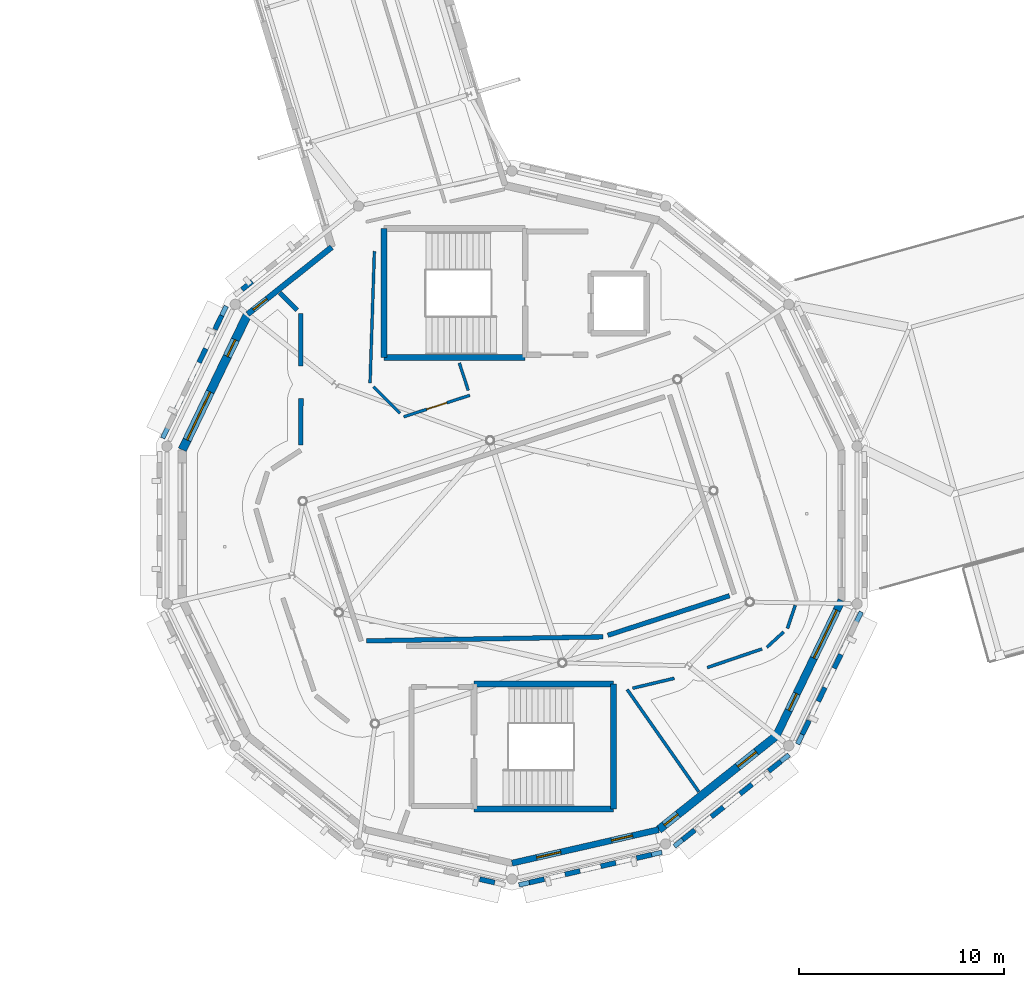
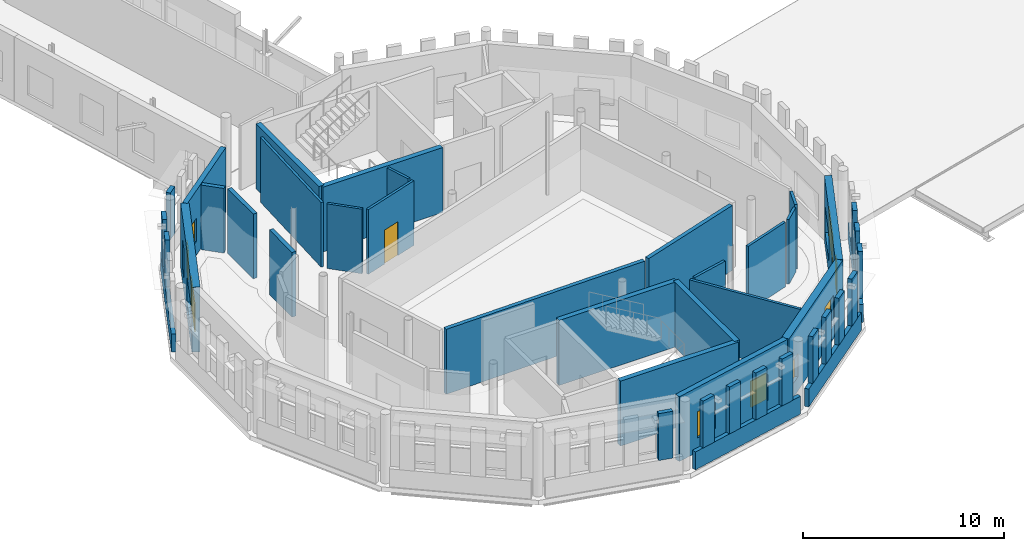
# One storey, part 52 of 90: 43 walls, 9 windows, 1 door, 10 openings.
"""IFC4 building model written with IfcOpenShell, lengths in metres."""

import ifcopenshell
import ifcopenshell.guid

model = None  # the IFC model being written
_history = None  # IfcOwnerHistory: only IFC2X3 demands one
_inside = {}  # id of a spatial element -> (the spatial element, [elements in it])
_under = {}  # id of a project, library or spatial element -> (it, [spatial elements below it])
_declared = {}  # id of a project -> (the project, [libraries it declares])
_typed = {}  # id of a type object -> (the type object, [elements of that type])
_made_of = {}  # id of a material, layer set ... -> (it, [elements and type objects made of it])


def new_model(schema):
    """Start an empty IFC model of exactly this schema.

    Asked for "IFC4X3", IfcOpenShell would pick the latest addendum, in which some entities
    have other attributes; the version numbers below select the first issue.
    IFC2X3 requires an IfcOwnerHistory on every rooted entity: one is made here for all.
    """
    global model, _history
    if schema == "IFC4X3":
        model = ifcopenshell.file(schema_version=(4, 3, 0, 0))
    else:
        model = ifcopenshell.file(schema=schema)
    _inside.clear()
    _under.clear()
    _declared.clear()
    _typed.clear()
    _made_of.clear()
    _history = None
    if model.schema == "IFC2X3":
        org = make("IfcOrganization", Name="unknown")
        user = make(
            "IfcPersonAndOrganization",
            ThePerson=make("IfcPerson", FamilyName="unknown"),
            TheOrganization=org,
        )
        app = make(
            "IfcApplication",
            ApplicationDeveloper=org,
            Version="unknown",
            ApplicationFullName="unknown",
            ApplicationIdentifier="unknown",
        )
        _history = make(
            "IfcOwnerHistory",
            OwningUser=user,
            OwningApplication=app,
            ChangeAction="ADDED",
            CreationDate=0,
        )
    return model


def make(cls, **values):
    """One entity of the class cls with the attributes given. An attribute that is None is left unset."""
    return model.create_entity(
        cls, **{name: value for name, value in values.items() if value is not None}
    )


def rooted(cls, **values):
    """An entity with a GlobalId (a new one), such as an element, a storey or a relation."""
    return make(cls, GlobalId=ifcopenshell.guid.new(), OwnerHistory=_history, **values)


def si_unit(unit_type, name, prefix=None):
    """IfcSIUnit, for example si_unit("LENGTHUNIT", "METRE", prefix="MILLI")."""
    return make("IfcSIUnit", UnitType=unit_type, Prefix=prefix, Name=name)


def assignment(units):
    """IfcUnitAssignment: the units of a project."""
    return None if units is None else make("IfcUnitAssignment", Units=units)


def point(xyz):
    """IfcCartesianPoint."""
    return None if xyz is None else make("IfcCartesianPoint", Coordinates=xyz)


def direction(xyz):
    """IfcDirection."""
    return None if xyz is None else make("IfcDirection", DirectionRatios=xyz)


def frame(location, z_axis=None, x_axis=None):
    """IfcAxis2Placement3D, a coordinate frame: its origin and axes. An axis left out is left unset."""
    return make(
        "IfcAxis2Placement3D",
        Location=point(location),
        Axis=direction(z_axis),
        RefDirection=direction(x_axis),
    )


def frame_2d(location, x_axis=None):
    """IfcAxis2Placement2D, a coordinate frame in the plane: its origin and x axis."""
    return make(
        "IfcAxis2Placement2D", Location=point(location), RefDirection=direction(x_axis)
    )


def origin():
    """The frame at (0, 0, 0) with its axes left unset."""
    return frame((0.0, 0.0, 0.0))


def place(relative_to, where):
    """IfcLocalPlacement: puts the frame where relative to a parent placement (None: the world)."""
    return make(
        "IfcLocalPlacement", PlacementRelTo=relative_to, RelativePlacement=where
    )


def context(
    kind, dimensions, precision=None, world=None, true_north=None, identifier=None
):
    """IfcGeometricRepresentationContext, for example the 3D "Model" context."""
    return make(
        "IfcGeometricRepresentationContext",
        ContextIdentifier=identifier,
        ContextType=kind,
        CoordinateSpaceDimension=dimensions,
        Precision=precision,
        WorldCoordinateSystem=world,
        TrueNorth=true_north,
    )


def subcontext(parent, identifier, kind, view, scale=None):
    """IfcGeometricRepresentationSubContext, for example "Body" below "Model"."""
    return make(
        "IfcGeometricRepresentationSubContext",
        ContextIdentifier=identifier,
        ContextType=kind,
        ParentContext=parent,
        TargetScale=scale,
        TargetView=view,
    )


def project(units=None, contexts=None):
    """IfcProject with its units and contexts."""
    return rooted(
        "IfcProject",
        Name="project",
        RepresentationContexts=contexts,
        UnitsInContext=assignment(units),
    )


def spatial(cls, under=None, at=None, **own):
    """A site, building, storey or space (cls), placed at a placement, below another one or the project."""
    s = rooted(cls, ObjectPlacement=at, **own)
    if under is not None:
        _under.setdefault(under.id(), (under, []))[1].append(s)
    return s


def profile(cls, at=None, kind="AREA", **sizes):
    """A parametric profile (cls). Its sizes go by their IFC names, for example OverallWidth=200.0."""
    return make(cls, ProfileType=kind, Position=at, **sizes)


def rectangle(**sizes):
    """IfcRectangleProfileDef."""
    return profile("IfcRectangleProfileDef", **sizes)


def extrude(swept, where, along, depth):
    """IfcExtrudedAreaSolid: the profile swept, set in the frame where, extruded along a direction by depth."""
    return make(
        "IfcExtrudedAreaSolid",
        SweptArea=swept,
        Position=where,
        ExtrudedDirection=direction(along),
        Depth=depth,
    )


def shape(context_of_items, identifier, shape_type, items):
    """IfcShapeRepresentation: the items that make up one representation, for example the "Body"."""
    return make(
        "IfcShapeRepresentation",
        ContextOfItems=context_of_items,
        RepresentationIdentifier=identifier,
        RepresentationType=shape_type,
        Items=items,
    )


def material(Name=None, Category=None):
    """IfcMaterial."""
    return make("IfcMaterial", Name=Name, Category=Category)


def layer(
    of_material, thickness, ventilated=None, Name=None, Category=None, Priority=None
):
    """IfcMaterialLayer: one layer of a wall or slab, of a material (None: an air gap)."""
    return make(
        "IfcMaterialLayer",
        Material=of_material,
        LayerThickness=thickness,
        IsVentilated=ventilated,
        Name=Name,
        Category=Category,
        Priority=Priority,
    )


def layer_set(layers, Name=None):
    """IfcMaterialLayerSet."""
    return make("IfcMaterialLayerSet", MaterialLayers=layers, LayerSetName=Name)


def made_of(thing, what):
    """Note that an element or type object is made of a material, layer set ...; save() writes the relation."""
    if what is not None:
        _made_of.setdefault(what.id(), (what, []))[1].append(thing)
    return thing


def type_object(cls, material=None, **own):
    """A type object (cls), such as IfcWallType, which elements share."""
    return made_of(rooted(cls, **own), material)


def element(
    cls,
    number,
    at=None,
    inside=None,
    cuts=None,
    type_object=None,
    material=None,
    context=None,
    identifier="Body",
    shape_type=None,
    held_by="IfcProductDefinitionShape",
    body=None,
    shapes=None,
    **own,
):
    """One element of the class cls, such as IfcWall. Its Tag is "e" and its number.

    at: its placement. inside: the storey or other place that contains it. cuts: it is an
    opening in that element (IfcRelVoidsElement). A single representation is given by context,
    identifier, shape_type and body (its items); several are given by shapes. held_by: the class
    of the entity that holds the representations. save() writes the other relations.
    """
    e = rooted(cls, Tag="e%d" % number, ObjectPlacement=at, **own)
    if body is not None:
        shapes = [shape(context, identifier, shape_type, body)]
    if shapes is not None:
        e.Representation = make(held_by, Representations=shapes)
    if inside is not None:
        _inside.setdefault(inside.id(), (inside, []))[1].append(e)
    if cuts is not None:
        rooted(
            "IfcRelVoidsElement", RelatingBuildingElement=cuts, RelatedOpeningElement=e
        )
    if type_object is not None:
        _typed.setdefault(type_object.id(), (type_object, []))[1].append(e)
    return made_of(e, material)


def fill(opening, filler):
    """IfcRelFillsElement: the door or window that sits in an opening."""
    return rooted(
        "IfcRelFillsElement",
        RelatingOpeningElement=opening,
        RelatedBuildingElement=filler,
    )


def aggregate(whole, parts):
    """IfcRelAggregates: a whole, such as a stair, and the parts it consists of."""
    return rooted("IfcRelAggregates", RelatingObject=whole, RelatedObjects=parts)


def save(model, path):
    """Write the relations noted so far, then the file.

    IfcRelAggregates (storeys below a building ...), IfcRelContainedInSpatialStructure (elements
    in a storey), IfcRelDefinesByType, IfcRelAssociatesMaterial and IfcRelDeclares: one each for
    every whole, place, type object, material and project.
    """
    for whole, parts in _under.values():
        aggregate(whole, parts)
    for where, things in _inside.values():
        rooted(
            "IfcRelContainedInSpatialStructure",
            RelatedElements=things,
            RelatingStructure=where,
        )
    for kind, things in _typed.values():
        rooted("IfcRelDefinesByType", RelatedObjects=things, RelatingType=kind)
    for what, things in _made_of.values():
        rooted("IfcRelAssociatesMaterial", RelatedObjects=things, RelatingMaterial=what)
    for by, libraries in _declared.values():
        rooted("IfcRelDeclares", RelatingContext=by, RelatedDefinitions=libraries)
    model.write(path)


model = new_model("IFC4")

# Units and contexts
model_context = context("Model", 3, precision=1e-05, world=origin(), true_north=direction((0.0, 1.0)))
body_context = subcontext(model_context, "Body", "Model", "MODEL_VIEW")
ifc_project = project(units=[si_unit("LENGTHUNIT", "METRE"), si_unit("AREAUNIT", "SQUARE_METRE"), si_unit("VOLUMEUNIT", "CUBIC_METRE"), si_unit("PLANEANGLEUNIT", "RADIAN"), si_unit("MASSUNIT", "GRAM", prefix="KILO")], contexts=[model_context])

# Site, building, storey
site_placement = place(None, origin())
site = spatial("IfcSite", under=ifc_project, at=site_placement, CompositionType="ELEMENT")
building_placement = place(site_placement, origin())
building = spatial("IfcBuilding", under=site, at=building_placement, Name="Wrenclough Park School", CompositionType="ELEMENT")
storey_placement = place(building_placement, frame((0.0, 0.0, 8.39990234375)))
storey = spatial("IfcBuildingStorey", under=building, at=storey_placement, Name="L02", CompositionType="ELEMENT", Elevation=8.39990234375)

# Walls
ifc_material_1 = material(Name="Perforated open-bond Staffordshire and Manchester brick screen pier", Category="masonry")
ifc_layer_1 = layer(ifc_material_1, 0.2451171875)
ifc_layer_set_1 = layer_set([ifc_layer_1], Name="Perforated open-bond Staffordshire and Manchester brick screen pier")
wall_type_1 = type_object("IfcWallType", Name="ENV-BS-PR245", PredefinedType="ELEMENTEDWALL", material=ifc_layer_set_1)
wall_1_placement = place(storey_placement, frame((23.839599609375, 35.36962890625, 1.090087890625), z_axis=(0.0, 0.0, 1.0), x_axis=(-0.781989486222, -0.623291619901, 0.0)))
element("IfcWall", 1, at=wall_1_placement, inside=storey, type_object=wall_type_1, Name="D2 L02 perforated brick screen pier 0468", PredefinedType="ELEMENTEDWALL", context=body_context, shape_type="SweptSolid", body=[
    extrude(rectangle(XDim=0.636962890625, YDim=0.2451171875, at=frame_2d((0.318359375, 0.0))), origin(), (0.0, 0.0, 1.0), 2.85009765625),
])
for number, where, z_axis, x_axis, name in (
    (2, (22.352294921875, 33.70361328125, 1.090087890625), (0.0, 0.0, 1.0), (-0.433619849257, -0.90109590296, 0.0), "D2 L02 perforated brick screen pier 0469"),
    (3, (21.5771484375, 32.093994140625, 1.090087890625), (0.0, 0.0, 1.0), (-0.433884123593, -0.900968682749, 0.0), "D2 L02 perforated brick screen pier 0470"),
    (4, (34.92578125, 6.243896484375, 1.090087890625), (0.0, 0.0, 1.0), (0.974969505796, -0.222338621856, 0.0), "D2 L02 perforated brick screen pier 0488"),
    (5, (37.343017578125, 6.076904296875, 1.090087890625), (0.0, 0.0, 1.0), (0.974898895053, 0.222648028119, 0.0), "D2 L02 perforated brick screen pier 0489"),
    (6, (39.084716796875, 6.474609375, 1.090087890625), (0.0, 0.0, 1.0), (0.974898895053, 0.222648028119, 0.0), "D2 L02 perforated brick screen pier 0490"),
    (7, (40.82666015625, 6.8720703125, 1.090087890625), (0.0, 0.0, 1.0), (0.974898895053, 0.222648028119, 0.0), "D2 L02 perforated brick screen pier 0491"),
    (8, (42.568359375, 7.269775390625, 1.090087890625), (0.0, 0.0, 1.0), (0.974969505796, 0.222338621856, 0.0), "D2 L02 perforated brick screen pier 0492"),
):
    element("IfcWall", number, at=place(storey_placement, frame(where, z_axis=z_axis, x_axis=x_axis)), inside=storey, type_object=wall_type_1, Name=name, PredefinedType="ELEMENTEDWALL", context=body_context, shape_type="SweptSolid", body=[
        extrude(rectangle(XDim=0.75, YDim=0.2451171875, at=frame_2d((0.375, 0.0))), origin(), (0.0, 0.0, 1.0), 2.85009765625),
    ])
for number, where, z_axis, x_axis, name in (
    (9, (44.818359375, 8.16748046875, 1.090087890625), (0.0, 0.0, 1.0), (0.781819359776, 0.623505002931, 0.0), "D2 L02 perforated brick screen pier 0493"),
    (10, (46.215576171875, 9.28173828125, 1.090087890625), (0.0, 0.0, 1.0), (0.781819359776, 0.623505002931, 0.0), "D2 L02 perforated brick screen pier 0494"),
    (11, (47.612548828125, 10.39599609375, 1.090087890625), (0.0, 0.0, 1.0), (0.781819359776, 0.623505002931, 0.0), "D2 L02 perforated brick screen pier 0495"),
    (12, (49.009765625, 11.510009765625, 1.090087890625), (0.0, 0.0, 1.0), (0.781819359776, 0.623505002931, 0.0), "D2 L02 perforated brick screen pier 0496"),
):
    element("IfcWall", number, at=place(storey_placement, frame(where, z_axis=z_axis, x_axis=x_axis)), inside=storey, type_object=wall_type_1, Name=name, PredefinedType="ELEMENTEDWALL", context=body_context, shape_type="SweptSolid", body=[
        extrude(rectangle(XDim=0.7509765625, YDim=0.2451171875, at=frame_2d((0.37548828125, 0.0))), origin(), (0.0, 0.0, 1.0), 2.85009765625),
    ])
for number, where, z_axis, x_axis, name in (
    (13, (50.647705078125, 13.29638671875, 1.090087890625), (0.0, 0.0, 1.0), (0.433619849257, 0.90109590296, 0.0), "D2 L02 perforated brick screen pier 0497"),
    (14, (51.4228515625, 14.90625, 1.090087890625), (0.0, 0.0, 1.0), (0.433884123593, 0.900968682749, 0.0), "D2 L02 perforated brick screen pier 0498"),
    (15, (52.197998046875, 16.51611328125, 1.090087890625), (0.0, 0.0, 1.0), (0.433884123593, 0.900968682749, 0.0), "D2 L02 perforated brick screen pier 0499"),
):
    element("IfcWall", number, at=place(storey_placement, frame(where, z_axis=z_axis, x_axis=x_axis)), inside=storey, type_object=wall_type_1, Name=name, PredefinedType="ELEMENTEDWALL", context=body_context, shape_type="SweptSolid", body=[
        extrude(rectangle(XDim=0.75, YDim=0.2451171875, at=frame_2d((0.375, 0.0))), origin(), (0.0, 0.0, 1.0), 2.85009765625),
    ])
ifc_material_2 = material(Name="Open-bond Manchester multi-stock brick spandrel screen", Category="masonry")
ifc_layer_2 = layer(ifc_material_2, 0.22509765625)
ifc_layer_set_2 = layer_set([ifc_layer_2], Name="Open-bond Manchester multi-stock brick spandrel screen")
wall_type_2 = type_object("IfcWallType", Name="ENV-BS-SP225", PredefinedType="ELEMENTEDWALL", material=ifc_layer_set_2)
wall_2_placement = place(storey_placement, frame((22.577392578125, 34.170654296875, 0.0), z_axis=(0.0, 0.0, 1.0), x_axis=(-0.433882380434, -0.900969522209, 0.0)))
element("IfcWall", 16, at=wall_2_placement, inside=storey, type_object=wall_type_2, Name="D2 L02 open-bond brick screen spandrel 0128", PredefinedType="ELEMENTEDWALL", context=body_context, shape_type="SweptSolid", body=[
    extrude(rectangle(XDim=7.146728515625, YDim=0.22509765625, at=frame_2d((3.5732421875, 0.0))), origin(), (0.0, 0.0, 1.0), 1.090087890625),
])
wall_3_placement = place(storey_placement, frame((36.837646484375, 5.961669921875, 0.0), z_axis=(0.0, 0.0, 1.0), x_axis=(0.974925038555, 0.222533523763, 0.0)))
element("IfcWall", 17, at=wall_3_placement, inside=storey, type_object=wall_type_2, Name="D2 L02 open-bond brick screen spandrel 0133", PredefinedType="ELEMENTEDWALL", context=body_context, shape_type="SweptSolid", body=[
    extrude(rectangle(XDim=7.146484375, YDim=0.22509765625, at=frame_2d((3.5732421875, 0.0))), origin(), (0.0, 0.0, 1.0), 1.090087890625),
])
wall_4_placement = place(storey_placement, frame((44.413330078125, 7.844482421875, 0.0), z_axis=(0.0, 0.0, 1.0), x_axis=(0.781830872194, 0.623490567118, 0.0)))
element("IfcWall", 18, at=wall_4_placement, inside=storey, type_object=wall_type_2, Name="D2 L02 open-bond brick screen spandrel 0134", PredefinedType="ELEMENTEDWALL", context=body_context, shape_type="SweptSolid", body=[
    extrude(rectangle(XDim=7.148193359375, YDim=0.22509765625, at=frame_2d((3.57421875, 0.0))), origin(), (0.0, 0.0, 1.0), 1.090087890625),
])
wall_5_placement = place(storey_placement, frame((50.422607421875, 12.829345703125, 0.0), z_axis=(0.0, 0.0, 1.0), x_axis=(0.433883402341, 0.900969030085, 0.0)))
element("IfcWall", 19, at=wall_5_placement, inside=storey, type_object=wall_type_2, Name="D2 L02 open-bond brick screen spandrel 0135", PredefinedType="ELEMENTEDWALL", context=body_context, shape_type="SweptSolid", body=[
    extrude(rectangle(XDim=7.147216796875, YDim=0.22509765625, at=frame_2d((3.57373046875, 0.0))), origin(), (0.0, 0.0, 1.0), 1.090087890625),
])

# Wall, opening, window
ifc_material_3 = material(Name="Link wing brick-faced cavity wall Concrete C32/40", Category="masonry")
ifc_layer_3 = layer(ifc_material_3, 0.27490234375)
ifc_layer_set_3 = layer_set([ifc_layer_3], Name="Link wing brick-faced cavity wall Concrete C32/40")
wall_type_3 = type_object("IfcWallType", Name="ENV-EW-275", PredefinedType="SOLIDWALL", material=ifc_layer_set_3)
wall_6_placement = place(storey_placement, frame((23.617919921875, 33.773193359375, 0.0), z_axis=(0.0, 0.0, 1.0), x_axis=(0.781826790272, 0.623495685641, 0.0)))
wall_6 = element("IfcWall", 20, at=wall_6_placement, inside=storey, type_object=wall_type_3, Name="L02 insulated brick external wall 0222", PredefinedType="SOLIDWALL", context=body_context, shape_type="SweptSolid", body=[
    extrude(rectangle(XDim=5.2412109375, YDim=0.27490234375, at=frame_2d((2.62060546875, 0.0))), origin(), (0.0, 0.0, 1.0), 3.940185546875),
])
opening_1_placement = place(wall_6_placement, frame((0.35009765625, 0.0, 0.85009765625)))
opening_1 = element("IfcOpeningElement", 21, at=opening_1_placement, cuts=wall_6, Name="Opening WN-01", PredefinedType="OPENING", context=body_context, shape_type="SweptSolid", body=[
    extrude(rectangle(XDim=0.85009765625, YDim=1.39990234375, at=frame_2d((0.425048828125, 0.699951171875))), frame((0.0, 0.1474609375, 0.0), z_axis=(0.0, -1.0, 0.0), x_axis=(1.0, 0.0, 0.0)), (0.0, 0.0, 1.0), 0.294921875),
])
ifc_material_4 = material(Name="Thermally broken aluminium and double-glazed low-e glass", Category="aluminium")
window_type_1 = type_object("IfcWindowType", Name="ENV-WN-01", PartitioningType="SINGLE_PANEL", PredefinedType="WINDOW", material=ifc_material_4)
window_1_placement = place(opening_1_placement, origin())
window_1 = element("IfcWindow", 22, at=window_1_placement, inside=storey, type_object=window_type_1, Name="L02 scheduled facade window 0361", OverallHeight=1.39990234375, OverallWidth=0.85009765625, PartitioningType="SINGLE_PANEL", PredefinedType="WINDOW", context=body_context, shape_type="SweptSolid", body=[
    extrude(rectangle(XDim=0.85009765625, YDim=1.39990234375, at=frame_2d((0.425048828125, 0.699951171875))), frame((0.0, 0.030029296875, 0.0), z_axis=(0.0, -1.0, 0.0), x_axis=(1.0, 0.0, 0.0)), (0.0, 0.0, 1.0), 0.06005859375),
])
fill(opening_1, window_1)

# Wall, openings, windows
ifc_material_5 = material(Name="Manchester multi-stock brick and Concrete C32/40 inner leaf", Category="masonry")
ifc_layer_4 = layer(ifc_material_5, 0.300048828125)
ifc_layer_set_4 = layer_set([ifc_layer_4], Name="Manchester multi-stock brick and Concrete C32/40 inner leaf")
wall_type_4 = type_object("IfcWallType", Name="ENV-EW-300", PredefinedType="SOLIDWALL", material=ifc_layer_set_4)
wall_7_placement = place(storey_placement, frame((43.649169921875, 8.65478515625, 0.0), z_axis=(0.0, 0.0, 1.0), x_axis=(-0.974932633187, -0.222500248868, 0.0)))
wall_7 = element("IfcWall", 23, at=wall_7_placement, inside=storey, type_object=wall_type_4, Name="L02 insulated brick external wall 0216", PredefinedType="SOLIDWALL", context=body_context, shape_type="SweptSolid", body=[
    extrude(rectangle(XDim=7.3330078125, YDim=0.300048828125, at=frame_2d((3.66650390625, 0.0))), origin(), (0.0, 0.0, 1.0), 3.940185546875),
])
opening_2_placement = place(wall_7_placement, frame((1.30810546875, 0.0, 0.85009765625)))
opening_2 = element("IfcOpeningElement", 24, at=opening_2_placement, cuts=wall_7, Name="Opening WN-14", PredefinedType="OPENING", context=body_context, shape_type="SweptSolid", body=[
    extrude(rectangle(XDim=1.050048828125, YDim=1.60009765625, at=frame_2d((0.52490234375, 0.800048828125))), frame((0.0, 0.159912109375, 0.0), z_axis=(0.0, -1.0, 0.0), x_axis=(1.0, 0.0, 0.0)), (0.0, 0.0, 1.0), 0.320068359375),
])
opening_3_placement = place(wall_7_placement, frame((4.899658203125, 0.0, 0.85009765625)))
opening_3 = element("IfcOpeningElement", 25, at=opening_3_placement, cuts=wall_7, Name="Opening WN-15", PredefinedType="OPENING", context=body_context, shape_type="SweptSolid", body=[
    extrude(rectangle(XDim=1.199951171875, YDim=1.60009765625, at=frame_2d((0.60009765625, 0.800048828125))), frame((0.0, 0.159912109375, 0.0), z_axis=(0.0, -1.0, 0.0), x_axis=(1.0, 0.0, 0.0)), (0.0, 0.0, 1.0), 0.320068359375),
])
window_type_2 = type_object("IfcWindowType", Name="ENV-WN-14", PartitioningType="SINGLE_PANEL", PredefinedType="WINDOW", material=ifc_material_4)
window_2_placement = place(opening_2_placement, origin())
window_2 = element("IfcWindow", 26, at=window_2_placement, inside=storey, type_object=window_type_2, Name="L02 scheduled facade window 0349", OverallHeight=1.60009765625, OverallWidth=1.050048828125, PartitioningType="SINGLE_PANEL", PredefinedType="WINDOW", context=body_context, shape_type="SweptSolid", body=[
    extrude(rectangle(XDim=1.050048828125, YDim=1.60009765625, at=frame_2d((0.52490234375, 0.800048828125))), frame((0.0, 0.030029296875, 0.0), z_axis=(0.0, -1.0, 0.0), x_axis=(1.0, 0.0, 0.0)), (0.0, 0.0, 1.0), 0.06005859375),
])
fill(opening_2, window_2)
window_type_3 = type_object("IfcWindowType", Name="ENV-WN-15", PartitioningType="SINGLE_PANEL", PredefinedType="WINDOW", material=ifc_material_4)
window_3_placement = place(opening_3_placement, origin())
window_3 = element("IfcWindow", 27, at=window_3_placement, inside=storey, type_object=window_type_3, Name="L02 scheduled facade window 0350", OverallHeight=1.60009765625, OverallWidth=1.199951171875, PartitioningType="SINGLE_PANEL", PredefinedType="WINDOW", context=body_context, shape_type="SweptSolid", body=[
    extrude(rectangle(XDim=1.199951171875, YDim=1.60009765625, at=frame_2d((0.60009765625, 0.800048828125))), frame((0.0, 0.030029296875, 0.0), z_axis=(0.0, -1.0, 0.0), x_axis=(1.0, 0.0, 0.0)), (0.0, 0.0, 1.0), 0.06005859375),
])
fill(opening_3, window_3)

ifc_material_6 = material(Name="Manchester multi-stock brick and Concrete C35/45 inner leaf", Category="masonry")
ifc_layer_5 = layer(ifc_material_6, 0.3798828125)
ifc_layer_set_5 = layer_set([ifc_layer_5], Name="Manchester multi-stock brick and Concrete C35/45 inner leaf")
wall_type_5 = type_object("IfcWallType", Name="ENV-EW-380", PredefinedType="SOLIDWALL", material=ifc_layer_set_5)
wall_8_placement = place(storey_placement, frame((52.563720703125, 19.83349609375, 0.0), z_axis=(0.0, 0.0, 1.0), x_axis=(-0.433886691468, -0.900967446119, 0.0)))
wall_8 = element("IfcWall", 28, at=wall_8_placement, inside=storey, type_object=wall_type_5, Name="L02 insulated brick external wall 0251", PredefinedType="SOLIDWALL", context=body_context, shape_type="SweptSolid", body=[
    extrude(rectangle(XDim=7.332763671875, YDim=0.3798828125, at=frame_2d((3.66650390625, 0.0))), origin(), (0.0, 0.0, 1.0), 3.940185546875),
])
opening_4_placement = place(wall_8_placement, frame((0.533203125, 0.0, 0.85009765625)))
opening_4 = element("IfcOpeningElement", 29, at=opening_4_placement, cuts=wall_8, Name="Opening WN-24", PredefinedType="OPENING", context=body_context, shape_type="SweptSolid", body=[
    extrude(rectangle(XDim=2.60009765625, YDim=1.60009765625, at=frame_2d((1.300048828125, 0.800048828125))), frame((0.0, 0.199951171875, 0.0), z_axis=(0.0, -1.0, 0.0), x_axis=(1.0, 0.0, 0.0)), (0.0, 0.0, 1.0), 0.39990234375),
])
opening_5_placement = place(wall_8_placement, frame((5.0498046875, 0.0, 0.85009765625)))
opening_5 = element("IfcOpeningElement", 30, at=opening_5_placement, cuts=wall_8, Name="Opening WN-25", PredefinedType="OPENING", context=body_context, shape_type="SweptSolid", body=[
    extrude(rectangle(XDim=0.89990234375, YDim=1.800048828125, at=frame_2d((0.449951171875, 0.89990234375))), frame((0.0, 0.199951171875, 0.0), z_axis=(0.0, -1.0, 0.0), x_axis=(1.0, 0.0, 0.0)), (0.0, 0.0, 1.0), 0.39990234375),
])
window_type_4 = type_object("IfcWindowType", Name="ENV-WN-24", PartitioningType="DOUBLE_PANEL_VERTICAL", PredefinedType="WINDOW", material=ifc_material_4)
window_4_placement = place(opening_4_placement, origin())
window_4 = element("IfcWindow", 31, at=window_4_placement, inside=storey, type_object=window_type_4, Name="L02 scheduled facade window 0415", OverallHeight=1.60009765625, OverallWidth=2.60009765625, PartitioningType="SINGLE_PANEL", PredefinedType="WINDOW", context=body_context, shape_type="SweptSolid", body=[
    extrude(rectangle(XDim=2.60009765625, YDim=1.60009765625, at=frame_2d((1.300048828125, 0.800048828125))), frame((0.0, 0.030029296875, 0.0), z_axis=(0.0, -1.0, 0.0), x_axis=(1.0, 0.0, 0.0)), (0.0, 0.0, 1.0), 0.06005859375),
])
fill(opening_4, window_4)
window_type_5 = type_object("IfcWindowType", Name="ENV-WN-25", PartitioningType="SINGLE_PANEL", PredefinedType="WINDOW", material=ifc_material_4)
window_5_placement = place(opening_5_placement, origin())
window_5 = element("IfcWindow", 32, at=window_5_placement, inside=storey, type_object=window_type_5, Name="L02 scheduled facade window 0416", OverallHeight=1.800048828125, OverallWidth=0.89990234375, PartitioningType="SINGLE_PANEL", PredefinedType="WINDOW", context=body_context, shape_type="SweptSolid", body=[
    extrude(rectangle(XDim=0.89990234375, YDim=1.800048828125, at=frame_2d((0.449951171875, 0.89990234375))), frame((0.0, 0.030029296875, 0.0), z_axis=(0.0, -1.0, 0.0), x_axis=(1.0, 0.0, 0.0)), (0.0, 0.0, 1.0), 0.06005859375),
])
fill(opening_5, window_5)

ifc_material_7 = material(Name="Staffordshire blue-grey brick and Concrete C40/50 acoustic leaf", Category="masonry")
ifc_layer_6 = layer(ifc_material_7, 0.39990234375)
ifc_layer_set_6 = layer_set([ifc_layer_6], Name="Staffordshire blue-grey brick and Concrete C40/50 acoustic leaf")
wall_type_6 = type_object("IfcWallType", Name="ENV-EW-400", PredefinedType="SOLIDWALL", material=ifc_layer_set_6)
wall_9_placement = place(storey_placement, frame((49.382080078125, 13.226806640625, 0.0), z_axis=(0.0, 0.0, 1.0), x_axis=(-0.781819636461, -0.623504655992, 0.0)))
wall_9 = element("IfcWall", 33, at=wall_9_placement, inside=storey, type_object=wall_type_6, Name="L02 insulated brick external wall 0252", PredefinedType="SOLIDWALL", context=body_context, shape_type="SweptSolid", body=[
    extrude(rectangle(XDim=7.332763671875, YDim=0.39990234375, at=frame_2d((3.66650390625, 0.0))), origin(), (0.0, 0.0, 1.0), 3.940185546875),
])
opening_6_placement = place(wall_9_placement, frame((1.25830078125, 0.0, 0.85009765625)))
opening_6 = element("IfcOpeningElement", 34, at=opening_6_placement, cuts=wall_9, Name="Opening WN-26", PredefinedType="OPENING", context=body_context, shape_type="SweptSolid", body=[
    extrude(rectangle(XDim=1.14990234375, YDim=1.800048828125, at=frame_2d((0.574951171875, 0.89990234375))), frame((0.0, 0.2099609375, 0.0), z_axis=(0.0, -1.0, 0.0), x_axis=(1.0, 0.0, 0.0)), (0.0, 0.0, 1.0), 0.419921875),
])
opening_7_placement = place(wall_9_placement, frame((6.1328125, 0.0, 0.85009765625)))
opening_7 = element("IfcOpeningElement", 35, at=opening_7_placement, cuts=wall_9, Name="Opening WN-01", PredefinedType="OPENING", context=body_context, shape_type="SweptSolid", body=[
    extrude(rectangle(XDim=0.85009765625, YDim=1.39990234375, at=frame_2d((0.425048828125, 0.699951171875))), frame((0.0, 0.2099609375, 0.0), z_axis=(0.0, -1.0, 0.0), x_axis=(1.0, 0.0, 0.0)), (0.0, 0.0, 1.0), 0.419921875),
])
window_6_placement = place(opening_7_placement, origin())
window_6 = element("IfcWindow", 36, at=window_6_placement, inside=storey, type_object=window_type_1, Name="L02 scheduled facade window 0418", OverallHeight=1.39990234375, OverallWidth=0.85009765625, PartitioningType="SINGLE_PANEL", PredefinedType="WINDOW", context=body_context, shape_type="SweptSolid", body=[
    extrude(rectangle(XDim=0.85009765625, YDim=1.39990234375, at=frame_2d((0.425048828125, 0.699951171875))), frame((0.0, 0.030029296875, 0.0), z_axis=(0.0, -1.0, 0.0), x_axis=(1.0, 0.0, 0.0)), (0.0, 0.0, 1.0), 0.06005859375),
])
fill(opening_7, window_6)
window_type_6 = type_object("IfcWindowType", Name="ENV-WN-26", PartitioningType="SINGLE_PANEL", PredefinedType="WINDOW", material=ifc_material_4)
window_7_placement = place(opening_6_placement, origin())
window_7 = element("IfcWindow", 37, at=window_7_placement, inside=storey, type_object=window_type_6, Name="L02 scheduled facade window 0417", OverallHeight=1.800048828125, OverallWidth=1.14990234375, PartitioningType="SINGLE_PANEL", PredefinedType="WINDOW", context=body_context, shape_type="SweptSolid", body=[
    extrude(rectangle(XDim=1.14990234375, YDim=1.800048828125, at=frame_2d((0.574951171875, 0.89990234375))), frame((0.0, 0.030029296875, 0.0), z_axis=(0.0, -1.0, 0.0), x_axis=(1.0, 0.0, 0.0)), (0.0, 0.0, 1.0), 0.06005859375),
])
fill(opening_6, window_7)

ifc_material_8 = material(Name="Insulated brick-clad sports hall wall Concrete C40/50", Category="masonry")
ifc_layer_7 = layer(ifc_material_8, 0.425048828125)
ifc_layer_set_7 = layer_set([ifc_layer_7], Name="Insulated brick-clad sports hall wall Concrete C40/50")
wall_type_7 = type_object("IfcWallType", Name="ENV-EW-425", PredefinedType="SOLIDWALL", material=ifc_layer_set_7)
wall_10_placement = place(storey_placement, frame((20.436279296875, 27.16650390625, 0.0), z_axis=(0.0, 0.0, 1.0), x_axis=(0.433886691468, 0.900967446119, 0.0)))
wall_10 = element("IfcWall", 38, at=wall_10_placement, inside=storey, type_object=wall_type_7, Name="L02 insulated brick external wall 0221", PredefinedType="SOLIDWALL", context=body_context, shape_type="SweptSolid", body=[
    extrude(rectangle(XDim=7.332763671875, YDim=0.425048828125, at=frame_2d((3.66650390625, 0.0))), origin(), (0.0, 0.0, 1.0), 3.940185546875),
])
opening_8_placement = place(wall_10_placement, frame((0.533203125, 0.0, 0.85009765625)))
opening_8 = element("IfcOpeningElement", 39, at=opening_8_placement, cuts=wall_10, Name="Opening WN-24", PredefinedType="OPENING", context=body_context, shape_type="SweptSolid", body=[
    extrude(rectangle(XDim=2.60009765625, YDim=1.60009765625, at=frame_2d((1.300048828125, 0.800048828125))), frame((0.0, 0.222412109375, 0.0), z_axis=(0.0, -1.0, 0.0), x_axis=(1.0, 0.0, 0.0)), (0.0, 0.0, 1.0), 0.445068359375),
])
opening_9_placement = place(wall_10_placement, frame((5.0498046875, 0.0, 0.85009765625)))
opening_9 = element("IfcOpeningElement", 40, at=opening_9_placement, cuts=wall_10, Name="Opening WN-25", PredefinedType="OPENING", context=body_context, shape_type="SweptSolid", body=[
    extrude(rectangle(XDim=0.89990234375, YDim=1.800048828125, at=frame_2d((0.449951171875, 0.89990234375))), frame((0.0, 0.222412109375, 0.0), z_axis=(0.0, -1.0, 0.0), x_axis=(1.0, 0.0, 0.0)), (0.0, 0.0, 1.0), 0.445068359375),
])
window_8_placement = place(opening_8_placement, origin())
window_8 = element("IfcWindow", 41, at=window_8_placement, inside=storey, type_object=window_type_4, Name="L02 scheduled facade window 0359", OverallHeight=1.60009765625, OverallWidth=2.60009765625, PartitioningType="SINGLE_PANEL", PredefinedType="WINDOW", context=body_context, shape_type="SweptSolid", body=[
    extrude(rectangle(XDim=2.60009765625, YDim=1.60009765625, at=frame_2d((1.300048828125, 0.800048828125))), frame((0.0, 0.030029296875, 0.0), z_axis=(0.0, -1.0, 0.0), x_axis=(1.0, 0.0, 0.0)), (0.0, 0.0, 1.0), 0.06005859375),
])
fill(opening_8, window_8)
window_9_placement = place(opening_9_placement, origin())
window_9 = element("IfcWindow", 42, at=window_9_placement, inside=storey, type_object=window_type_5, Name="L02 scheduled facade window 0360", OverallHeight=1.800048828125, OverallWidth=0.89990234375, PartitioningType="SINGLE_PANEL", PredefinedType="WINDOW", context=body_context, shape_type="SweptSolid", body=[
    extrude(rectangle(XDim=0.89990234375, YDim=1.800048828125, at=frame_2d((0.449951171875, 0.89990234375))), frame((0.0, 0.030029296875, 0.0), z_axis=(0.0, -1.0, 0.0), x_axis=(1.0, 0.0, 0.0)), (0.0, 0.0, 1.0), 0.06005859375),
])
fill(opening_9, window_9)

# Walls
ifc_material_9 = material(Name="Concrete C40/50", Category="concrete")
ifc_layer_8 = layer(ifc_material_9, 0.2900390625)
ifc_layer_set_8 = layer_set([ifc_layer_8], Name="Concrete C40/50")
wall_type_8 = type_object("IfcWallType", Name="INT-CW-290", PredefinedType="SHEAR", material=ifc_layer_set_8)
wall_11_placement = place(storey_placement, frame((30.2548828125, 31.655029296875, 0.0), z_axis=(0.0, 0.0, 1.0), x_axis=(1.0, 0.0, 0.0)))
element("IfcWall", 43, at=wall_11_placement, inside=storey, type_object=wall_type_8, Name="Core C2 L02 south shear wall", PredefinedType="SHEAR", context=body_context, shape_type="SweptSolid", body=[
    extrude(rectangle(XDim=6.89013671875, YDim=0.2900390625, at=frame_2d((3.445068359375, 0.0))), origin(), (0.0, 0.0, 1.0), 3.9501953125),
])
wall_12_placement = place(storey_placement, frame((30.2548828125, 37.945068359375, 0.0), z_axis=(0.0, 0.0, 1.0), x_axis=(0.0, -1.0, 0.0)))
element("IfcWall", 44, at=wall_12_placement, inside=storey, type_object=wall_type_8, Name="Core C2 L02 west shear wall", PredefinedType="SHEAR", context=body_context, shape_type="SweptSolid", body=[
    extrude(rectangle(XDim=6.2900390625, YDim=0.2900390625, at=frame_2d((3.14501953125, 0.0))), origin(), (0.0, 0.0, 1.0), 3.9501953125),
])
wall_13_placement = place(storey_placement, frame((34.655029296875, 9.655029296875, 0.0), z_axis=(0.0, 0.0, 1.0), x_axis=(1.0, 0.0, 0.0)))
element("IfcWall", 45, at=wall_13_placement, inside=storey, type_object=wall_type_8, Name="Core C2B L02 south shear wall", PredefinedType="SHEAR", context=body_context, shape_type="SweptSolid", body=[
    extrude(rectangle(XDim=6.7900390625, YDim=0.2900390625, at=frame_2d((3.39501953125, 0.0))), origin(), (0.0, 0.0, 1.0), 3.9501953125),
])
wall_14_placement = place(storey_placement, frame((41.445068359375, 9.655029296875, 0.0), z_axis=(0.0, 0.0, 1.0), x_axis=(0.0, 1.0, 0.0)))
element("IfcWall", 46, at=wall_14_placement, inside=storey, type_object=wall_type_8, Name="Core C2B L02 east shear wall", PredefinedType="SHEAR", context=body_context, shape_type="SweptSolid", body=[
    extrude(rectangle(XDim=6.090087890625, YDim=0.2900390625, at=frame_2d((3.044921875, 0.0))), origin(), (0.0, 0.0, 1.0), 3.9501953125),
])
wall_15_placement = place(storey_placement, frame((41.445068359375, 15.7451171875, 0.0), z_axis=(0.0, 0.0, 1.0), x_axis=(-1.0, 0.0, 0.0)))
element("IfcWall", 47, at=wall_15_placement, inside=storey, type_object=wall_type_8, Name="Core C2B L02 north shear wall", PredefinedType="SHEAR", context=body_context, shape_type="SweptSolid", body=[
    extrude(rectangle(XDim=6.7900390625, YDim=0.2900390625, at=frame_2d((3.39501953125, 0.0))), origin(), (0.0, 0.0, 1.0), 3.9501953125),
])
ifc_material_10 = material(Name="Protected corridor partition", Category="gypsum")
ifc_layer_9 = layer(ifc_material_10, 0.14990234375)
ifc_layer_set_9 = layer_set([ifc_layer_9], Name="Protected corridor partition")
wall_type_9 = type_object("IfcWallType", Name="INT-PW-150", PredefinedType="PARTITIONING", material=ifc_layer_set_9)
wall_16_placement = place(storey_placement, frame((42.11328125, 15.4833984375, 0.0), z_axis=(0.0, 0.0, 1.0), x_axis=(0.57359701491, -0.819137634642, 0.0)))
element("IfcWall", 48, at=wall_16_placement, inside=storey, type_object=wall_type_9, Name="L02 internal partition 0351", PredefinedType="PARTITIONING", context=body_context, shape_type="SweptSolid", body=[
    extrude(rectangle(XDim=6.0830078125, YDim=0.14990234375, at=frame_2d((3.04150390625, 0.0))), origin(), (0.0, 0.0, 1.0), 3.93017578125),
])
wall_17_placement = place(storey_placement, frame((50.300537109375, 19.58740234375, 0.0), z_axis=(0.0, 0.0, 1.0), x_axis=(-0.318196579832, -0.948024755258, 0.0)))
element("IfcWall", 49, at=wall_17_placement, inside=storey, type_object=wall_type_9, Name="L02 internal partition 0356", PredefinedType="PARTITIONING", context=body_context, shape_type="SweptSolid", body=[
    extrude(rectangle(XDim=1.18994140625, YDim=0.14990234375, at=frame_2d((0.594970703125, 0.0))), origin(), (0.0, 0.0, 1.0), 3.93017578125),
])
wall_18_placement = place(storey_placement, frame((49.737548828125, 18.29052734375, 0.0), z_axis=(0.0, 0.0, 1.0), x_axis=(-0.737646920333, -0.675186656357, 0.0)))
element("IfcWall", 50, at=wall_18_placement, inside=storey, type_object=wall_type_9, Name="L02 internal partition 0357", PredefinedType="PARTITIONING", context=body_context, shape_type="SweptSolid", body=[
    extrude(rectangle(XDim=1.110107421875, YDim=0.14990234375, at=frame_2d((0.55517578125, 0.0))), origin(), (0.0, 0.0, 1.0), 3.93017578125),
])
wall_19_placement = place(storey_placement, frame((48.68212890625, 17.460693359375, 0.0), z_axis=(0.0, 0.0, 1.0), x_axis=(-0.946759538407, -0.321941573014, 0.0)))
element("IfcWall", 51, at=wall_19_placement, inside=storey, type_object=wall_type_9, Name="L02 internal partition 0358", PredefinedType="PARTITIONING", context=body_context, shape_type="SweptSolid", body=[
    extrude(rectangle(XDim=2.817138671875, YDim=0.14990234375, at=frame_2d((1.40869140625, 0.0))), origin(), (0.0, 0.0, 1.0), 3.93017578125),
])
wall_20_placement = place(storey_placement, frame((44.4072265625, 16.03076171875, 0.0), z_axis=(0.0, 0.0, 1.0), x_axis=(-0.972671897965, -0.232183933356, 0.0)))
element("IfcWall", 52, at=wall_20_placement, inside=storey, type_object=wall_type_9, Name="L02 internal partition 0359", PredefinedType="PARTITIONING", context=body_context, shape_type="SweptSolid", body=[
    extrude(rectangle(XDim=2.08935546875, YDim=0.14990234375, at=frame_2d((1.044677734375, 0.0))), origin(), (0.0, 0.0, 1.0), 3.93017578125),
])
ifc_material_11 = material(Name="Twin-frame acoustic gypsum board 60 dB Rw", Category="gypsum")
ifc_layer_10 = layer(ifc_material_11, 0.22509765625)
ifc_layer_set_10 = layer_set([ifc_layer_10], Name="Twin-frame acoustic gypsum board 60 dB Rw")
wall_type_10 = type_object("IfcWallType", Name="INT-PW-225", PredefinedType="PARTITIONING", material=ifc_layer_set_10)
wall_21_placement = place(storey_placement, frame((29.39990234375, 17.854736328125, 0.0), z_axis=(0.0, 0.0, 1.0), x_axis=(0.999856594605, 0.016934881877, 0.0)))
element("IfcWall", 53, at=wall_21_placement, inside=storey, type_object=wall_type_10, Name="L02 internal partition 0339", PredefinedType="PARTITIONING", context=body_context, shape_type="SweptSolid", body=[
    extrude(rectangle(XDim=11.533203125, YDim=0.22509765625, at=frame_2d((5.7666015625, 0.0))), origin(), (0.0, 0.0, 1.0), 3.9501953125),
])
wall_22_placement = place(storey_placement, frame((41.169189453125, 18.127197265625, 0.0), z_axis=(0.0, 0.0, 1.0), x_axis=(0.951056803868, 0.309016109316, 0.0)))
element("IfcWall", 54, at=wall_22_placement, inside=storey, type_object=wall_type_10, Name="L02 internal partition 0340", PredefinedType="PARTITIONING", context=body_context, shape_type="SweptSolid", body=[
    extrude(rectangle(XDim=6.233642578125, YDim=0.22509765625, at=frame_2d((3.11669921875, 0.0))), origin(), (0.0, 0.0, 1.0), 3.9501953125),
])
wall_23_placement = place(storey_placement, frame((26.199951171875, 31.240234375, 0.0), z_axis=(0.0, 0.0, 1.0), x_axis=(0.0, 1.0, 0.0)))
element("IfcWall", 55, at=wall_23_placement, inside=storey, type_object=wall_type_10, Name="L02 internal partition 0341", PredefinedType="PARTITIONING", context=body_context, shape_type="SweptSolid", body=[
    extrude(rectangle(XDim=2.559814453125, YDim=0.22509765625, at=frame_2d((1.27978515625, 0.0))), origin(), (0.0, 0.0, 1.0), 3.93017578125),
])
wall_24_placement = place(storey_placement, frame((26.023193359375, 33.976806640625, 0.0), z_axis=(0.0, 0.0, 1.0), x_axis=(-0.707106781187, 0.707106781187, 0.0)))
element("IfcWall", 56, at=wall_24_placement, inside=storey, type_object=wall_type_10, Name="L02 internal partition 0342", PredefinedType="PARTITIONING", context=body_context, shape_type="SweptSolid", body=[
    extrude(rectangle(XDim=1.185546875, YDim=0.22509765625, at=frame_2d((0.5927734375, 0.0))), origin(), (0.0, 0.0, 1.0), 3.93017578125),
])
wall_25_placement = place(storey_placement, frame((26.201904296875, 27.392578125, 0.0), z_axis=(0.0, 0.0, 1.0), x_axis=(0.006993588379, 0.999975544562, 0.0)))
element("IfcWall", 57, at=wall_25_placement, inside=storey, type_object=wall_type_10, Name="L02 internal partition 0350", PredefinedType="PARTITIONING", context=body_context, shape_type="SweptSolid", body=[
    extrude(rectangle(XDim=2.26904296875, YDim=0.22509765625, at=frame_2d((1.134521484375, 0.0))), origin(), (0.0, 0.0, 1.0), 3.93017578125),
])

# Wall, opening, door
ifc_material_12 = material(Name="Moisture-resistant sanitary service wall", Category="gypsum")
ifc_layer_11 = layer(ifc_material_12, 0.139892578125)
ifc_layer_set_11 = layer_set([ifc_layer_11], Name="Moisture-resistant sanitary service wall")
wall_type_11 = type_object("IfcWallType", Name="INT-SV-140", PredefinedType="PLUMBINGWALL", material=ifc_layer_set_11)
wall_26_placement = place(storey_placement, frame((31.224609375, 28.775390625, 0.0), z_axis=(0.0, 0.0, 1.0), x_axis=(0.951056314451, 0.309017615587, 0.0)))
wall_26 = element("IfcWall", 58, at=wall_26_placement, inside=storey, type_object=wall_type_11, Name="L02 internal partition 0360", PredefinedType="PLUMBINGWALL", context=body_context, shape_type="SweptSolid", body=[
    extrude(rectangle(XDim=3.386962890625, YDim=0.139892578125, at=frame_2d((1.693359375, 0.0))), origin(), (0.0, 0.0, 1.0), 3.93017578125),
])
opening_10_placement = place(wall_26_placement, frame((1.18359375, 0.0, 0.0)))
opening_10 = element("IfcOpeningElement", 59, at=opening_10_placement, cuts=wall_26, Name="Opening DR-L02-067", PredefinedType="OPENING", context=body_context, shape_type="SweptSolid", body=[
    extrude(rectangle(XDim=1.02001953125, YDim=2.06005859375, at=frame_2d((0.510009765625, 1.030029296875))), frame((0.0, 0.079833984375, 0.0), z_axis=(0.0, -1.0, 0.0), x_axis=(1.0, 0.0, 0.0)), (0.0, 0.0, 1.0), 0.159912109375),
])
ifc_material_13 = material(Name="Accessible WC outward-opening fire door assembly", Category="wood")
door_type = type_object("IfcDoorType", Name="INT-DR-AWC102", OperationType="NOTDEFINED", PredefinedType="DOOR", material=ifc_material_13)
door_placement = place(opening_10_placement, frame((1.02001953125, 0.0, 0.0), z_axis=(0.0, 0.0, 1.0), x_axis=(-1.0, 0.0, 0.0)))
door = element("IfcDoor", 60, at=door_placement, inside=storey, type_object=door_type, Name="Accessible WC D2 Second door DR-L02-067", OperationType="SINGLE_SWING_RIGHT", OverallHeight=2.06005859375, OverallWidth=1.02001953125, PredefinedType="DOOR", context=body_context, shape_type="SweptSolid", body=[
    extrude(rectangle(XDim=1.02001953125, YDim=2.06005859375, at=frame_2d((0.510009765625, 1.030029296875))), frame((0.0, 0.02490234375, 0.0), z_axis=(0.0, -1.0, 0.0), x_axis=(1.0, 0.0, 0.0)), (0.0, 0.0, 1.0), 0.050048828125),
])
fill(opening_10, door)

# Walls
wall_27_placement = place(storey_placement, frame((34.36865234375, 30.059814453125, 0.0), z_axis=(0.0, 0.0, 1.0), x_axis=(-0.30909782547, 0.951030248883, 0.0)))
element("IfcWall", 61, at=wall_27_placement, inside=storey, type_object=wall_type_11, Name="L02 internal partition 0361", PredefinedType="PLUMBINGWALL", context=body_context, shape_type="SweptSolid", body=[
    extrude(rectangle(XDim=1.4091796875, YDim=0.139892578125, at=frame_2d((0.70458984375, 0.0))), origin(), (0.0, 0.0, 1.0), 3.93017578125),
])
wall_28_placement = place(storey_placement, frame((29.79443359375, 36.8408203125, 0.0), z_axis=(0.0, 0.0, 1.0), x_axis=(-0.032816547949, -0.999461392041, 0.0)))
element("IfcWall", 62, at=wall_28_placement, inside=storey, type_object=wall_type_11, Name="L02 internal partition 0363", PredefinedType="PLUMBINGWALL", context=body_context, shape_type="SweptSolid", body=[
    extrude(rectangle(XDim=6.427734375, YDim=0.139892578125, at=frame_2d((3.2138671875, 0.0))), origin(), (0.0, 0.0, 1.0), 3.93017578125),
])
wall_29_placement = place(storey_placement, frame((29.76025390625, 30.23974609375, 0.0), z_axis=(0.0, 0.0, 1.0), x_axis=(0.707106781187, -0.707106781187, 0.0)))
element("IfcWall", 63, at=wall_29_placement, inside=storey, type_object=wall_type_11, Name="L02 internal partition 0364", PredefinedType="PLUMBINGWALL", context=body_context, shape_type="SweptSolid", body=[
    extrude(rectangle(XDim=1.8212890625, YDim=0.139892578125, at=frame_2d((0.91064453125, 0.0))), origin(), (0.0, 0.0, 1.0), 3.93017578125),
])

save(model, "model.ifc")
